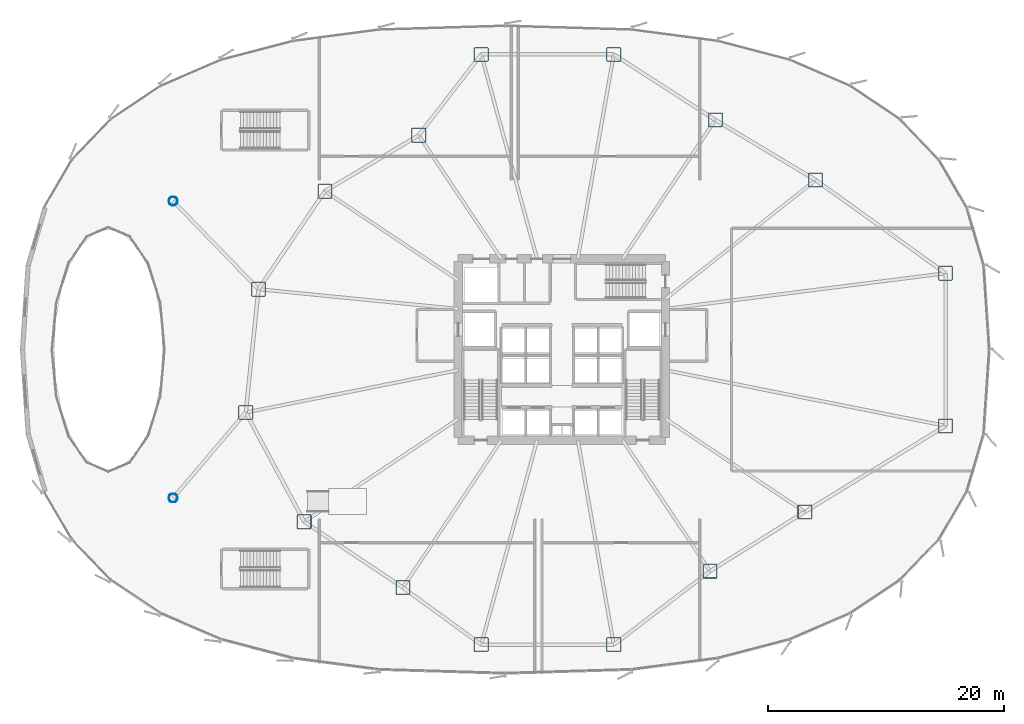
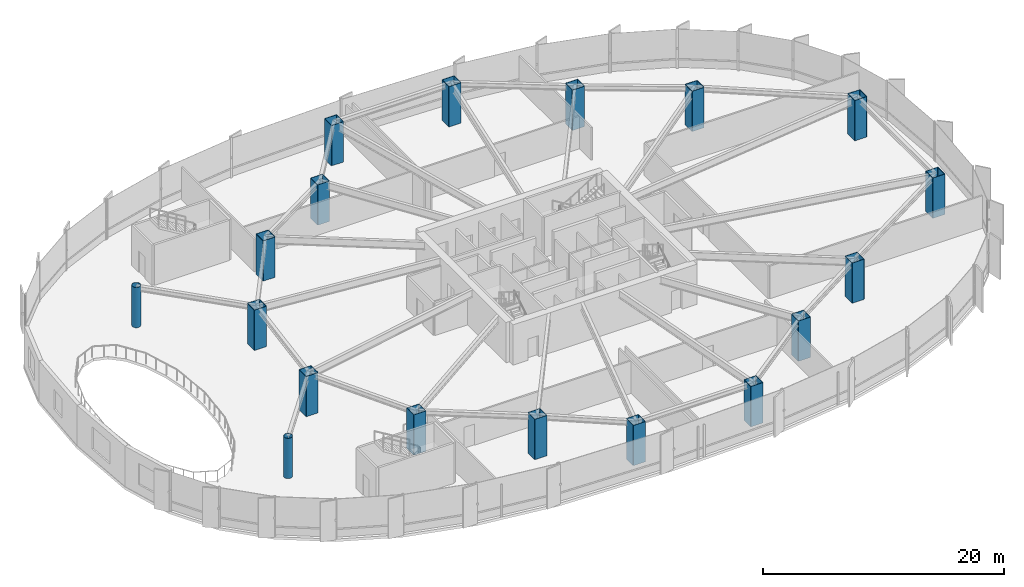
# One storey, part 1 of 34: 18 columns.
"""IFC4 building model written with IfcOpenShell, lengths in metres."""

from ifc_helpers import new_model, si_unit, direction, frame, origin, origin_2d, place, context, subcontext, project, spatial, hollow_rectangle, hollow_circle, extrude, source, transform, mapped, material, material_profile, profile_set, type_object, element, save


model = new_model("IFC4")

# Units and contexts
model_context = context("Model", 3, precision=1e-05, world=origin(), true_north=direction((0.0, 1.0)))
body_context = subcontext(model_context, "Body", "Model", "MODEL_VIEW")
ifc_project = project(units=[si_unit("LENGTHUNIT", "METRE"), si_unit("AREAUNIT", "SQUARE_METRE"), si_unit("VOLUMEUNIT", "CUBIC_METRE"), si_unit("PLANEANGLEUNIT", "RADIAN"), si_unit("MASSUNIT", "GRAM", prefix="KILO"), si_unit("THERMODYNAMICTEMPERATUREUNIT", "KELVIN")], contexts=[model_context])

# Site, building, storey
site_placement = place(None, origin())
site = spatial("IfcSite", under=ifc_project, at=site_placement, CompositionType="ELEMENT")
building_placement = place(site_placement, origin())
building = spatial("IfcBuilding", under=site, at=building_placement, Name="Kethvar Cultural Tower", CompositionType="ELEMENT")
storey_placement = place(building_placement, frame((0.0, 0.0, 19.60009765625)))
storey = spatial("IfcBuildingStorey", under=building, at=storey_placement, Name="L04", CompositionType="ELEMENT", Elevation=19.60009765625)

# Columns
ifc_material_1 = material(Name="Steel S460M", Category="steel")
ifc_material_profile_1 = material_profile(ifc_material_1, hollow_rectangle(XDim=1.199951171875, YDim=1.199951171875, WallThickness=0.044921875, InnerFilletRadius=0.02001953125, OuterFilletRadius=0.06494140625, at=origin_2d()), Name="Steel S460M — BOX1200x1200x45")
ifc_profile_set_1 = profile_set([ifc_material_profile_1], Name="Steel S460M — BOX1200x1200x45")
column_type_1 = type_object("IfcColumnType", Name="COL-BOX1200", PredefinedType="COLUMN", material=ifc_profile_set_1)
shared_shape_1 = source(origin(), body_context, "Body", "SweptSolid", [
    extrude(hollow_rectangle(XDim=1.199951171875, YDim=1.199951171875, WallThickness=0.044921875, InnerFilletRadius=0.02001953125, OuterFilletRadius=0.06494140625, at=origin_2d()), origin(), (0.0, 0.0, 1.0), 4.079833984375),
])
for number, where, z_axis, x_axis, name in (
    (1, (79.362060546875, 34.277099609375, 0.0), (0.0, 0.0, 1.0), (1.0, 0.0, 0.0), "L04 Podium Column C-01"),
    (2, (68.33642578125, 42.190185546875, 0.0), (0.0, 0.0, 1.0), (1.0, 0.0, 0.0), "L04 Podium Column C-02"),
    (3, (59.824951171875, 47.293212890625, 0.0), (0.0, 0.0, 1.0), (1.0, 0.0, 0.0), "L04 Podium Column C-03"),
    (4, (51.199951171875, 52.85009765625, 0.0), (0.0, 0.0, 1.0), (1.0, 0.0, 0.0), "L04 Podium Column C-04"),
    (5, (39.949951171875, 52.85009765625, 0.0), (0.0, 0.0, 1.0), (1.0, 0.0, 0.0), "L04 Podium Column C-05"),
    (6, (34.64599609375, 45.98974609375, 0.0), (0.0, 0.0, 1.0), (1.0, 0.0, 0.0), "L04 Podium Column C-06"),
    (7, (26.6845703125, 41.24072265625, 0.0), (0.0, 0.0, 1.0), (1.0, 0.0, 0.0), "L04 Podium Column C-07"),
    (8, (21.047119140625, 32.922607421875, 0.0), (0.0, 0.0, 1.0), (1.0, 0.0, 0.0), "L04 Podium Column C-08"),
    (9, (19.9658203125, 22.46240234375, 0.0), (0.0, 0.0, 1.0), (1.0, 0.0, 0.0), "L04 Podium Column C-09"),
    (10, (24.9248046875, 13.183349609375, 0.0), (0.0, 0.0, 1.0), (1.0, 0.0, 0.0), "L04 Podium Column C-10"),
    (11, (33.302001953125, 7.598876953125, 0.0), (0.0, 0.0, 1.0), (1.0, 0.0, 0.0), "L04 Podium Column C-11"),
    (12, (39.949951171875, 2.75, 0.0), (0.0, 0.0, 1.0), (1.0, 0.0, 0.0), "L04 Podium Column C-12"),
    (13, (51.199951171875, 2.75, 0.0), (0.0, 0.0, 1.0), (1.0, 0.0, 0.0), "L04 Podium Column C-13"),
    (14, (59.370361328125, 8.987060546875, 0.0), (0.0, 0.0, 1.0), (1.0, 0.0, 0.0), "L04 Podium Column C-14"),
    (15, (67.41845703125, 14.023193359375, 0.0), (0.0, 0.0, 1.0), (1.0, 0.0, 0.0), "L04 Podium Column C-15"),
    (16, (79.362060546875, 21.322998046875, 0.0), (0.0, 0.0, 1.0), (1.0, 0.0, 0.0), "L04 Podium Column C-16"),
):
    element("IfcColumn", number, at=place(storey_placement, frame(where, z_axis=z_axis, x_axis=x_axis)), inside=storey, type_object=column_type_1, Name=name, PredefinedType="COLUMN", context=body_context, shape_type="MappedRepresentation", body=[
        mapped(shared_shape_1, transform((0.0, 0.0, 0.0), scale=1.0)),
    ])
ifc_material_2 = material(Name="Steel S355J2", Category="steel")
ifc_material_profile_2 = material_profile(ifc_material_2, hollow_circle(Radius=0.381103515625, WallThickness=0.02490234375, at=origin_2d()), Name="Steel S355J2 — CHS762x25")
ifc_profile_set_2 = profile_set([ifc_material_profile_2], Name="Steel S355J2 — CHS762x25")
column_type_2 = type_object("IfcColumnType", Name="COL-CHS762", PredefinedType="COLUMN", material=ifc_profile_set_2)
shared_shape_2 = source(origin(), body_context, "Body", "SweptSolid", [
    extrude(hollow_circle(Radius=0.381103515625, WallThickness=0.02490234375, at=origin_2d()), origin(), (0.0, 0.0, 1.0), 4.079833984375),
])
for number, where, z_axis, x_axis, name in (
    (17, (13.800048828125, 15.199951171875, 0.0), (0.0, 0.0, 1.0), (1.0, 0.0, 0.0), "L04 Podium Column C-17"),
    (18, (13.800048828125, 40.39990234375, 0.0), (0.0, 0.0, 1.0), (1.0, 0.0, 0.0), "L04 Podium Column C-18"),
):
    element("IfcColumn", number, at=place(storey_placement, frame(where, z_axis=z_axis, x_axis=x_axis)), inside=storey, type_object=column_type_2, Name=name, PredefinedType="COLUMN", context=body_context, shape_type="MappedRepresentation", body=[
        mapped(shared_shape_2, transform((0.0, 0.0, 0.0), scale=1.0)),
    ])

save(model, "model.ifc")
